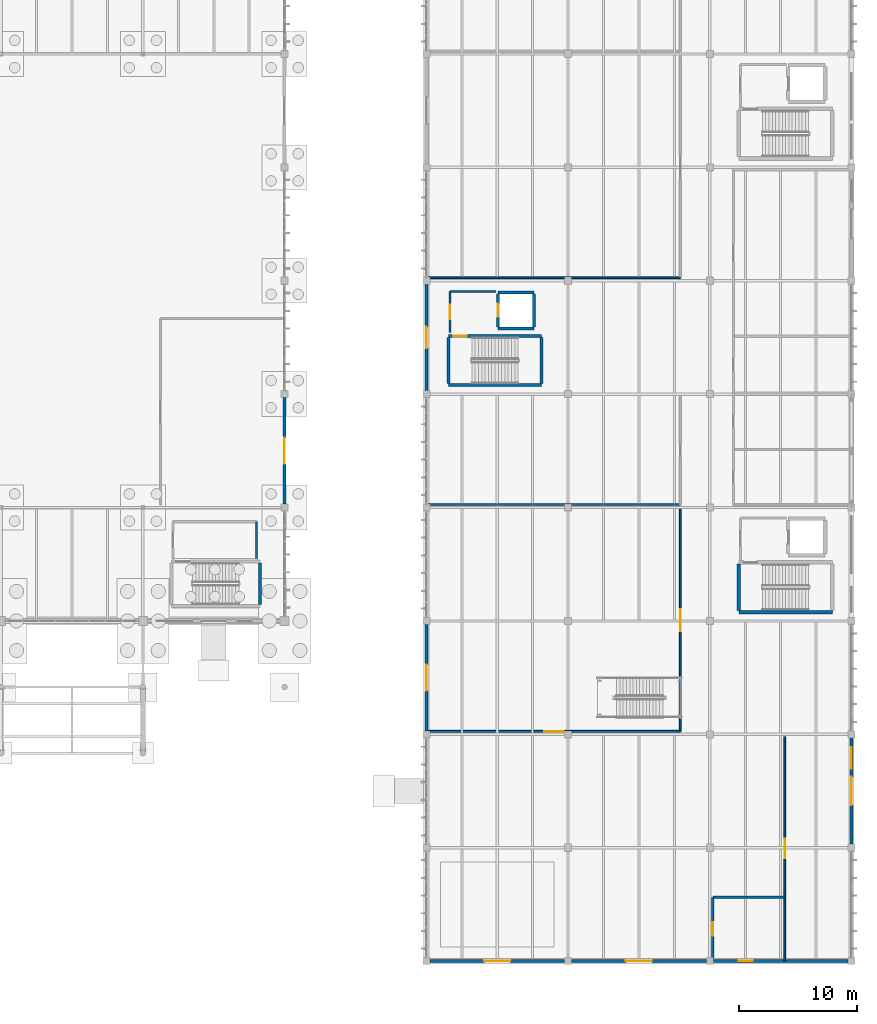
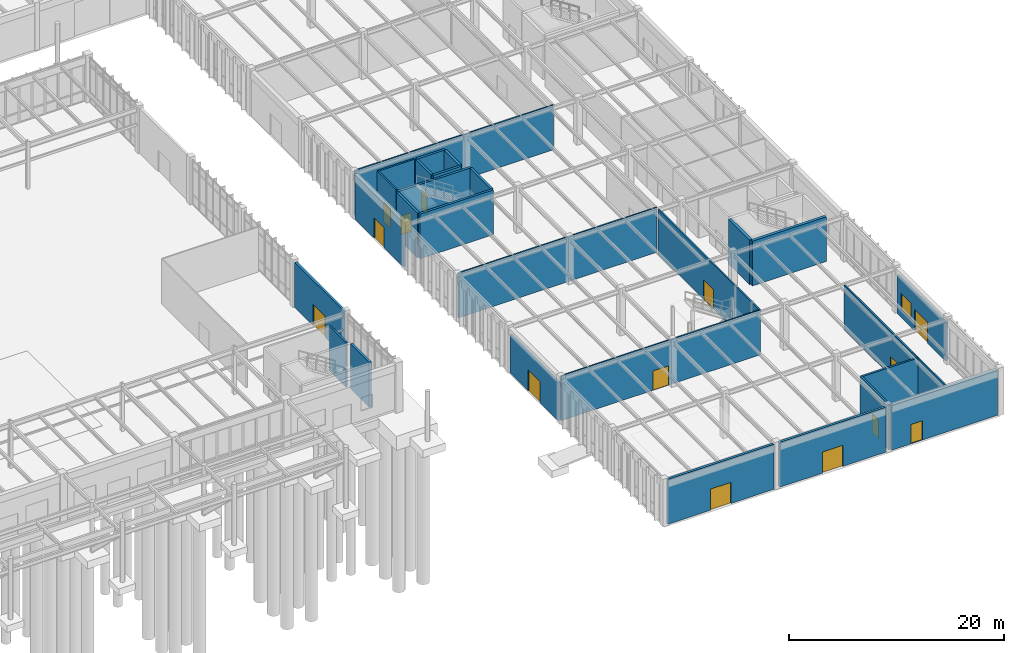
# One storey, part 167 of 188: 28 walls, 14 doors, 1 window, 15 openings.
"""IFC4 building model written with IfcOpenShell, lengths in metres."""

from ifc_helpers import new_model, si_unit, direction, frame, frame_2d, origin, place, context, subcontext, project, spatial, rectangle, extrude, material, layer, layer_set, type_object, element, fill, save


model = new_model("IFC4")

# Units and contexts
model_context = context("Model", 3, precision=1e-05, world=origin(), true_north=direction((0.0, 1.0)))
body_context = subcontext(model_context, "Body", "Model", "MODEL_VIEW")
ifc_project = project(units=[si_unit("LENGTHUNIT", "METRE"), si_unit("AREAUNIT", "SQUARE_METRE"), si_unit("VOLUMEUNIT", "CUBIC_METRE"), si_unit("PLANEANGLEUNIT", "RADIAN"), si_unit("MASSUNIT", "GRAM", prefix="KILO")], contexts=[model_context])

# Site, building, storey
site_placement = place(None, origin())
site = spatial("IfcSite", under=ifc_project, at=site_placement, CompositionType="ELEMENT")
building_placement = place(site_placement, origin())
building = spatial("IfcBuilding", under=site, at=building_placement, Name="Pandanus Reach Market Hall", CompositionType="ELEMENT")
storey_placement = place(building_placement, origin())
storey = spatial("IfcBuildingStorey", under=building, at=storey_placement, Name="L00", CompositionType="ELEMENT", Elevation=0.0)

# Wall
ifc_material_1 = material(Name="Concrete N40 (40 MPa)", Category="concrete")
ifc_layer_1 = layer(ifc_material_1, 0.25, Name="WL-CORE-250")
ifc_layer_set_1 = layer_set([ifc_layer_1], Name="Concrete N40 (40 MPa)")
wall_type_1 = type_object("IfcWallType", Name="WL-CORE-250", PredefinedType="SHEAR", material=ifc_layer_set_1)
wall_1_placement = place(storey_placement, frame((145.875, 48.77490234375, 0.0), z_axis=(0.0, 0.0, 1.0), x_axis=(1.0, 0.0, 0.0)))
element("IfcWall", 1, at=wall_1_placement, inside=storey, type_object=wall_type_1, Name="Internal wall WL-CORE-250 WL-0280", PredefinedType="SHEAR", context=body_context, shape_type="SweptSolid", body=[
    extrude(rectangle(XDim=7.8701171875, YDim=0.25, at=frame_2d((3.93505859375, 0.0))), origin(), (0.0, 0.0, 1.0), 5.080078125),
])

# Wall, opening, door
wall_2_placement = place(storey_placement, frame((145.875, 52.925048828125, 0.0), z_axis=(0.0, 0.0, 1.0), x_axis=(1.0, 0.0, 0.0)))
wall_2 = element("IfcWall", 2, at=wall_2_placement, inside=storey, type_object=wall_type_1, Name="Internal wall WL-CORE-250 WL-0281", PredefinedType="SHEAR", context=body_context, shape_type="SweptSolid", body=[
    extrude(rectangle(XDim=7.8701171875, YDim=0.25, at=frame_2d((3.93505859375, 0.0))), origin(), (0.0, 0.0, 1.0), 5.080078125),
])
opening_1_placement = place(wall_2_placement, frame((0.39990234375, 0.0, 0.0)))
opening_1 = element("IfcOpeningElement", 3, at=opening_1_placement, cuts=wall_2, Name="Opening DR-FD1", PredefinedType="OPENING", context=body_context, shape_type="SweptSolid", body=[
    extrude(rectangle(XDim=1.14990234375, YDim=2.14990234375, at=frame_2d((0.574951171875, 1.074951171875))), frame((0.0, 0.139892578125, 0.0), z_axis=(0.0, -1.0, 0.0), x_axis=(1.0, 0.0, 0.0)), (0.0, 0.0, 1.0), 0.280029296875),
])
ifc_material_2 = material(Name="Fire-rated steel door", Category="steel")
door_type_1 = type_object("IfcDoorType", Name="DR-FD1", OperationType="NOTDEFINED", PredefinedType="DOOR", material=ifc_material_2)
door_1_placement = place(opening_1_placement, origin())
door_1 = element("IfcDoor", 4, at=door_1_placement, inside=storey, type_object=door_type_1, Name="Fire stair door ST-03 L00", OperationType="SINGLE_SWING_LEFT", OverallHeight=2.14990234375, OverallWidth=1.14990234375, PredefinedType="DOOR", context=body_context, shape_type="SweptSolid", body=[
    extrude(rectangle(XDim=1.14990234375, YDim=2.14990234375, at=frame_2d((0.574951171875, 1.074951171875))), frame((0.0, 0.02490234375, 0.0), z_axis=(0.0, -1.0, 0.0), x_axis=(1.0, 0.0, 0.0)), (0.0, 0.0, 1.0), 0.050048828125),
])
fill(opening_1, door_1)

# Walls
for number, where, z_axis, x_axis, name in (
    (5, (145.875, 48.89990234375, 0.0), (0.0, 0.0, 1.0), (0.0, 1.0, 0.0), "Internal wall WL-CORE-250 WL-0282"),
    (6, (153.7451171875, 48.89990234375, 0.0), (0.0, 0.0, 1.0), (0.0, 1.0, 0.0), "Internal wall WL-CORE-250 WL-0283"),
):
    element("IfcWall", number, at=place(storey_placement, frame(where, z_axis=z_axis, x_axis=x_axis)), inside=storey, type_object=wall_type_1, Name=name, PredefinedType="SHEAR", context=body_context, shape_type="SweptSolid", body=[
        extrude(rectangle(XDim=3.900146484375, YDim=0.25, at=frame_2d((1.9501953125, 0.0))), origin(), (0.0, 0.0, 1.0), 5.080078125),
    ])
for number, where, z_axis, x_axis, name in (
    (7, (150.074951171875, 53.574951171875, 0.0), (0.0, 0.0, 1.0), (1.0, 0.0, 0.0), "Internal wall WL-CORE-250 WL-0284"),
    (8, (150.074951171875, 56.625, 0.0), (0.0, 0.0, 1.0), (1.0, 0.0, 0.0), "Internal wall WL-CORE-250 WL-0285"),
):
    element("IfcWall", number, at=place(storey_placement, frame(where, z_axis=z_axis, x_axis=x_axis)), inside=storey, type_object=wall_type_1, Name=name, PredefinedType="SHEAR", context=body_context, shape_type="SweptSolid", body=[
        extrude(rectangle(XDim=3.050048828125, YDim=0.25, at=frame_2d((1.52490234375, 0.0))), origin(), (0.0, 0.0, 1.0), 5.080078125),
    ])
wall_3_placement = place(storey_placement, frame((153.125, 53.699951171875, 0.0), z_axis=(0.0, 0.0, 1.0), x_axis=(0.0, 1.0, 0.0)))
element("IfcWall", 9, at=wall_3_placement, inside=storey, type_object=wall_type_1, Name="Internal wall WL-CORE-250 WL-0286", PredefinedType="SHEAR", context=body_context, shape_type="SweptSolid", body=[
    extrude(rectangle(XDim=2.800048828125, YDim=0.25, at=frame_2d((1.39990234375, 0.0))), origin(), (0.0, 0.0, 1.0), 5.080078125),
])

# Wall, opening, door
wall_4_placement = place(storey_placement, frame((150.074951171875, 53.699951171875, 0.0), z_axis=(0.0, 0.0, 1.0), x_axis=(0.0, 1.0, 0.0)))
wall_4 = element("IfcWall", 10, at=wall_4_placement, inside=storey, type_object=wall_type_1, Name="Internal wall WL-CORE-250 WL-0287", PredefinedType="SHEAR", context=body_context, shape_type="SweptSolid", body=[
    extrude(rectangle(XDim=2.800048828125, YDim=0.25, at=frame_2d((1.39990234375, 0.0))), origin(), (0.0, 0.0, 1.0), 5.080078125),
])
opening_2_placement = place(wall_4_placement, frame((0.85009765625, 0.0, 0.0)))
opening_2 = element("IfcOpeningElement", 11, at=opening_2_placement, cuts=wall_4, Name="Opening LD-01", PredefinedType="OPENING", context=body_context, shape_type="SweptSolid", body=[
    extrude(rectangle(XDim=1.10009765625, YDim=2.14990234375, at=frame_2d((0.550048828125, 1.074951171875))), frame((0.0, 0.139892578125, 0.0), z_axis=(0.0, -1.0, 0.0), x_axis=(1.0, 0.0, 0.0)), (0.0, 0.0, 1.0), 0.280029296875),
])
ifc_material_3 = material(Name="Stainless steel lift landing door", Category="steel")
door_type_2 = type_object("IfcDoorType", Name="LD-01", OperationType="SLIDING_TO_LEFT", PredefinedType="DOOR", material=ifc_material_3)
door_2_placement = place(opening_2_placement, origin())
door_2 = element("IfcDoor", 12, at=door_2_placement, inside=storey, type_object=door_type_2, Name="Lift landing door LF-03 LD-01 42", OperationType="SLIDING_TO_LEFT", OverallHeight=2.14990234375, OverallWidth=1.10009765625, PredefinedType="DOOR", context=body_context, shape_type="SweptSolid", body=[
    extrude(rectangle(XDim=1.10009765625, YDim=2.14990234375, at=frame_2d((0.550048828125, 1.074951171875))), frame((0.0, 0.02490234375, 0.0), z_axis=(0.0, -1.0, 0.0), x_axis=(1.0, 0.0, 0.0)), (0.0, 0.0, 1.0), 0.050048828125),
])
fill(opening_2, door_2)

# Walls
wall_5_placement = place(storey_placement, frame((129.89501953125, 30.199951171875, 0.0), z_axis=(0.0, 0.0, 1.0), x_axis=(0.0, 1.0, 0.0)))
element("IfcWall", 13, at=wall_5_placement, inside=storey, type_object=wall_type_1, Name="Internal wall WL-CORE-250 WL-0437", PredefinedType="SHEAR", context=body_context, shape_type="SweptSolid", body=[
    extrude(rectangle(XDim=3.5, YDim=0.25, at=frame_2d((1.75, 0.0))), origin(), (0.0, 0.0, 1.0), 5.080078125),
])
ifc_layer_2 = layer(ifc_material_1, 0.300048828125, Name="WL-CORE-300")
ifc_layer_set_2 = layer_set([ifc_layer_2], Name="Concrete N40 (40 MPa)")
wall_type_2 = type_object("IfcWallType", Name="WL-CORE-300", PredefinedType="SHEAR", material=ifc_layer_set_2)
wall_6_placement = place(storey_placement, frame((170.449951171875, 29.550048828125, 0.0), z_axis=(0.0, 0.0, 1.0), x_axis=(1.0, 0.0, 0.0)))
element("IfcWall", 14, at=wall_6_placement, inside=storey, type_object=wall_type_2, Name="Internal wall WL-CORE-300 WL-0160", PredefinedType="SHEAR", context=body_context, shape_type="SweptSolid", body=[
    extrude(rectangle(XDim=7.920166015625, YDim=0.300048828125, at=frame_2d((3.9599609375, 0.0))), origin(), (0.0, 0.0, 1.0), 5.080078125),
])
wall_7_placement = place(storey_placement, frame((170.449951171875, 29.699951171875, 0.0), z_axis=(0.0, 0.0, 1.0), x_axis=(0.0, 1.0, 0.0)))
element("IfcWall", 15, at=wall_7_placement, inside=storey, type_object=wall_type_2, Name="Internal wall WL-CORE-300 WL-0162", PredefinedType="SHEAR", context=body_context, shape_type="SweptSolid", body=[
    extrude(rectangle(XDim=3.900146484375, YDim=0.300048828125, at=frame_2d((1.9501953125, 0.0))), origin(), (0.0, 0.0, 1.0), 5.080078125),
])

# Wall, openings, door, window
ifc_material_4 = material(Name="Precast concrete S50 (50 MPa)", Category="concrete")
ifc_layer_3 = layer(ifc_material_4, 0.239990234375, Name="WL-EXT-240")
ifc_layer_set_3 = layer_set([ifc_layer_3], Name="Precast concrete S50 (50 MPa)")
wall_type_3 = type_object("IfcWallType", Name="WL-EXT-240", PredefinedType="SOLIDWALL", material=ifc_layer_set_3)
wall_8_placement = place(storey_placement, frame((180.0, 9.89990234375, 0.0), z_axis=(0.0, 0.0, 1.0), x_axis=(0.0, 1.0, 0.0)))
wall_8 = element("IfcWall", 16, at=wall_8_placement, inside=storey, type_object=wall_type_3, Name="External wall WL-EXT-240 WL-0089", PredefinedType="SOLIDWALL", context=body_context, shape_type="SweptSolid", body=[
    extrude(rectangle(XDim=9.0, YDim=0.239990234375, at=frame_2d((4.5, 0.0))), origin(), (0.0, 0.0, 1.0), 4.321044921875),
])
opening_3_placement = place(wall_8_placement, frame((3.300048828125, 0.0, 0.0)))
opening_3 = element("IfcOpeningElement", 17, at=opening_3_placement, cuts=wall_8, Name="Opening ED-240", PredefinedType="OPENING", context=body_context, shape_type="SweptSolid", body=[
    extrude(rectangle(XDim=2.39990234375, YDim=2.39990234375, at=frame_2d((1.199951171875, 1.199951171875))), frame((0.0, 0.135009765625, 0.0), z_axis=(0.0, -1.0, 0.0), x_axis=(1.0, 0.0, 0.0)), (0.0, 0.0, 1.0), 0.27001953125),
])
opening_4_placement = place(wall_8_placement, frame((6.39990234375, 0.0, 0.89990234375)))
opening_4 = element("IfcOpeningElement", 18, at=opening_4_placement, cuts=wall_8, Name="Opening WN-03", PredefinedType="OPENING", context=body_context, shape_type="SweptSolid", body=[
    extrude(rectangle(XDim=1.800048828125, YDim=1.800048828125, at=frame_2d((0.89990234375, 0.89990234375))), frame((0.0, 0.135009765625, 0.0), z_axis=(0.0, -1.0, 0.0), x_axis=(1.0, 0.0, 0.0)), (0.0, 0.0, 1.0), 0.27001953125),
])
ifc_material_5 = material(Name="Bronze anodised aluminium", Category="aluminium")
door_type_3 = type_object("IfcDoorType", Name="ED-240", OperationType="DOUBLE_DOOR_SINGLE_SWING", PredefinedType="DOOR", material=ifc_material_5)
door_3_placement = place(opening_3_placement, frame((2.39990234375, 0.0, 0.0), z_axis=(0.0, 0.0, 1.0), x_axis=(-1.0, 0.0, 0.0)))
door_3 = element("IfcDoor", 19, at=door_3_placement, inside=storey, type_object=door_type_3, Name="Boulevard shopfront entrance ED-240 28", OperationType="DOUBLE_DOOR_SINGLE_SWING", OverallHeight=2.39990234375, OverallWidth=2.39990234375, PredefinedType="DOOR", context=body_context, shape_type="SweptSolid", body=[
    extrude(rectangle(XDim=2.39990234375, YDim=2.39990234375, at=frame_2d((1.199951171875, 1.199951171875))), frame((0.0, 0.02490234375, 0.0), z_axis=(0.0, -1.0, 0.0), x_axis=(1.0, 0.0, 0.0)), (0.0, 0.0, 1.0), 0.050048828125),
])
fill(opening_3, door_3)
ifc_material_6 = material(Name="Solar-control double glazing", Category="glass")
window_type = type_object("IfcWindowType", Name="WN-03", PartitioningType="SINGLE_PANEL", PredefinedType="WINDOW", material=ifc_material_6)
window_placement = place(opening_4_placement, origin())
window = element("IfcWindow", 20, at=window_placement, inside=storey, type_object=window_type, Name="Window WN-03 44", OverallHeight=1.800048828125, OverallWidth=1.800048828125, PartitioningType="SINGLE_PANEL", PredefinedType="WINDOW", context=body_context, shape_type="SweptSolid", body=[
    extrude(rectangle(XDim=1.800048828125, YDim=1.800048828125, at=frame_2d((0.89990234375, 0.89990234375))), frame((0.0, 0.030029296875, 0.0), z_axis=(0.0, -1.0, 0.0), x_axis=(1.0, 0.0, 0.0)), (0.0, 0.0, 1.0), 0.06005859375),
])
fill(opening_4, window)

# Wall, opening, door
wall_9_placement = place(storey_placement, frame((144.0, 19.5, 0.0), z_axis=(0.0, 0.0, 1.0), x_axis=(0.0, 1.0, 0.0)))
wall_9 = element("IfcWall", 21, at=wall_9_placement, inside=storey, type_object=wall_type_3, Name="External wall WL-EXT-240 WL-0094", PredefinedType="SOLIDWALL", context=body_context, shape_type="SweptSolid", body=[
    extrude(rectangle(XDim=9.0, YDim=0.239990234375, at=frame_2d((4.5, 0.0))), origin(), (0.0, 0.0, 1.0), 4.321044921875),
])
opening_5_placement = place(wall_9_placement, frame((3.39990234375, 0.0, 0.0)))
opening_5 = element("IfcOpeningElement", 22, at=opening_5_placement, cuts=wall_9, Name="Opening ED-220", PredefinedType="OPENING", context=body_context, shape_type="SweptSolid", body=[
    extrude(rectangle(XDim=2.199951171875, YDim=2.39990234375, at=frame_2d((1.10009765625, 1.199951171875))), frame((0.0, 0.135009765625, 0.0), z_axis=(0.0, -1.0, 0.0), x_axis=(1.0, 0.0, 0.0)), (0.0, 0.0, 1.0), 0.27001953125),
])
door_type_4 = type_object("IfcDoorType", Name="ED-220", OperationType="DOUBLE_DOOR_SINGLE_SWING", PredefinedType="DOOR", material=ifc_material_5)
door_4_placement = place(opening_5_placement, origin())
door_4 = element("IfcDoor", 23, at=door_4_placement, inside=storey, type_object=door_type_4, Name="East market arcade entrance ED-220 32", OperationType="DOUBLE_DOOR_SINGLE_SWING", OverallHeight=2.39990234375, OverallWidth=2.199951171875, PredefinedType="DOOR", context=body_context, shape_type="SweptSolid", body=[
    extrude(rectangle(XDim=2.199951171875, YDim=2.39990234375, at=frame_2d((1.10009765625, 1.199951171875))), frame((0.0, 0.02490234375, 0.0), z_axis=(0.0, -1.0, 0.0), x_axis=(1.0, 0.0, 0.0)), (0.0, 0.0, 1.0), 0.050048828125),
])
fill(opening_5, door_4)

ifc_layer_4 = layer(ifc_material_4, 0.260009765625, Name="WL-EXT-260")
ifc_layer_set_4 = layer_set([ifc_layer_4], Name="Precast concrete S50 (50 MPa)")
wall_type_4 = type_object("IfcWallType", Name="WL-EXT-260", PredefinedType="SOLIDWALL", material=ifc_layer_set_4)
wall_10_placement = place(storey_placement, frame((132.0, 38.699951171875, 0.0), z_axis=(0.0, 0.0, 1.0), x_axis=(0.0, 1.0, 0.0)))
wall_10 = element("IfcWall", 24, at=wall_10_placement, inside=storey, type_object=wall_type_4, Name="External wall WL-EXT-260 WL-0057", PredefinedType="SOLIDWALL", context=body_context, shape_type="SweptSolid", body=[
    extrude(rectangle(XDim=9.0, YDim=0.260009765625, at=frame_2d((4.5, 0.0))), origin(), (0.0, 0.0, 1.0), 5.10009765625),
])
opening_6_placement = place(wall_10_placement, frame((3.39990234375, 0.0, 0.0)))
opening_6 = element("IfcOpeningElement", 25, at=opening_6_placement, cuts=wall_10, Name="Opening ED-220", PredefinedType="OPENING", context=body_context, shape_type="SweptSolid", body=[
    extrude(rectangle(XDim=2.199951171875, YDim=2.39990234375, at=frame_2d((1.10009765625, 1.199951171875))), frame((0.0, 0.14501953125, 0.0), z_axis=(0.0, -1.0, 0.0), x_axis=(1.0, 0.0, 0.0)), (0.0, 0.0, 1.0), 0.2900390625),
])
door_5_placement = place(opening_6_placement, frame((2.199951171875, 0.0, 0.0), z_axis=(0.0, 0.0, 1.0), x_axis=(-1.0, 0.0, 0.0)))
door_5 = element("IfcDoor", 26, at=door_5_placement, inside=storey, type_object=door_type_4, Name="Market gable entrance ED-220 10", OperationType="DOUBLE_DOOR_SINGLE_SWING", OverallHeight=2.39990234375, OverallWidth=2.199951171875, PredefinedType="DOOR", context=body_context, shape_type="SweptSolid", body=[
    extrude(rectangle(XDim=2.199951171875, YDim=2.39990234375, at=frame_2d((1.10009765625, 1.199951171875))), frame((0.0, 0.02490234375, 0.0), z_axis=(0.0, -1.0, 0.0), x_axis=(1.0, 0.0, 0.0)), (0.0, 0.0, 1.0), 0.050048828125),
])
fill(opening_6, door_5)

wall_11_placement = place(storey_placement, frame((144.300048828125, 0.0, 0.0), z_axis=(0.0, 0.0, 1.0), x_axis=(1.0, 0.0, 0.0)))
wall_11 = element("IfcWall", 27, at=wall_11_placement, inside=storey, type_object=wall_type_4, Name="External wall WL-EXT-260 WL-0086", PredefinedType="SOLIDWALL", context=body_context, shape_type="SweptSolid", body=[
    extrude(rectangle(XDim=11.39990234375, YDim=0.260009765625, at=frame_2d((5.699951171875, 0.0))), origin(), (0.0, 0.0, 1.0), 5.10009765625),
])
opening_7_placement = place(wall_11_placement, frame((4.60009765625, 0.0, 0.0)))
opening_7 = element("IfcOpeningElement", 28, at=opening_7_placement, cuts=wall_11, Name="Opening ED-220", PredefinedType="OPENING", context=body_context, shape_type="SweptSolid", body=[
    extrude(rectangle(XDim=2.199951171875, YDim=2.39990234375, at=frame_2d((1.10009765625, 1.199951171875))), frame((0.0, 0.14501953125, 0.0), z_axis=(0.0, -1.0, 0.0), x_axis=(1.0, 0.0, 0.0)), (0.0, 0.0, 1.0), 0.2900390625),
])
door_6_placement = place(opening_7_placement, frame((2.199951171875, 0.0, 0.0), z_axis=(0.0, 0.0, 1.0), x_axis=(-1.0, 0.0, 0.0)))
door_6 = element("IfcDoor", 29, at=door_6_placement, inside=storey, type_object=door_type_4, Name="Boulevard south entrance ED-220 25", OperationType="DOUBLE_DOOR_SINGLE_SWING", OverallHeight=2.39990234375, OverallWidth=2.199951171875, PredefinedType="DOOR", context=body_context, shape_type="SweptSolid", body=[
    extrude(rectangle(XDim=2.199951171875, YDim=2.39990234375, at=frame_2d((1.10009765625, 1.199951171875))), frame((0.0, 0.02490234375, 0.0), z_axis=(0.0, -1.0, 0.0), x_axis=(1.0, 0.0, 0.0)), (0.0, 0.0, 1.0), 0.050048828125),
])
fill(opening_7, door_6)

wall_12_placement = place(storey_placement, frame((156.300048828125, 0.0, 0.0), z_axis=(0.0, 0.0, 1.0), x_axis=(1.0, 0.0, 0.0)))
wall_12 = element("IfcWall", 30, at=wall_12_placement, inside=storey, type_object=wall_type_4, Name="External wall WL-EXT-260 WL-0087", PredefinedType="SOLIDWALL", context=body_context, shape_type="SweptSolid", body=[
    extrude(rectangle(XDim=11.39990234375, YDim=0.260009765625, at=frame_2d((5.699951171875, 0.0))), origin(), (0.0, 0.0, 1.0), 5.10009765625),
])
opening_8_placement = place(wall_12_placement, frame((4.60009765625, 0.0, 0.0)))
opening_8 = element("IfcOpeningElement", 31, at=opening_8_placement, cuts=wall_12, Name="Opening ED-220", PredefinedType="OPENING", context=body_context, shape_type="SweptSolid", body=[
    extrude(rectangle(XDim=2.199951171875, YDim=2.39990234375, at=frame_2d((1.10009765625, 1.199951171875))), frame((0.0, 0.14501953125, 0.0), z_axis=(0.0, -1.0, 0.0), x_axis=(1.0, 0.0, 0.0)), (0.0, 0.0, 1.0), 0.2900390625),
])
door_7_placement = place(opening_8_placement, frame((2.199951171875, 0.0, 0.0), z_axis=(0.0, 0.0, 1.0), x_axis=(-1.0, 0.0, 0.0)))
door_7 = element("IfcDoor", 32, at=door_7_placement, inside=storey, type_object=door_type_4, Name="Boulevard south entrance ED-220 26", OperationType="DOUBLE_DOOR_SINGLE_SWING", OverallHeight=2.39990234375, OverallWidth=2.199951171875, PredefinedType="DOOR", context=body_context, shape_type="SweptSolid", body=[
    extrude(rectangle(XDim=2.199951171875, YDim=2.39990234375, at=frame_2d((1.10009765625, 1.199951171875))), frame((0.0, 0.02490234375, 0.0), z_axis=(0.0, -1.0, 0.0), x_axis=(1.0, 0.0, 0.0)), (0.0, 0.0, 1.0), 0.050048828125),
])
fill(opening_8, door_7)

wall_13_placement = place(storey_placement, frame((168.300048828125, 0.0, 0.0), z_axis=(0.0, 0.0, 1.0), x_axis=(1.0, 0.0, 0.0)))
wall_13 = element("IfcWall", 33, at=wall_13_placement, inside=storey, type_object=wall_type_4, Name="External wall WL-EXT-260 WL-0088", PredefinedType="SOLIDWALL", context=body_context, shape_type="SweptSolid", body=[
    extrude(rectangle(XDim=11.39990234375, YDim=0.260009765625, at=frame_2d((5.699951171875, 0.0))), origin(), (0.0, 0.0, 1.0), 5.10009765625),
])
opening_9_placement = place(wall_13_placement, frame((2.135986328125, 0.0, 0.0)))
opening_9 = element("IfcOpeningElement", 34, at=opening_9_placement, cuts=wall_13, Name="Opening ED-120", PredefinedType="OPENING", context=body_context, shape_type="SweptSolid", body=[
    extrude(rectangle(XDim=1.199951171875, YDim=2.199951171875, at=frame_2d((0.60009765625, 1.10009765625))), frame((0.0, 0.14501953125, 0.0), z_axis=(0.0, -1.0, 0.0), x_axis=(1.0, 0.0, 0.0)), (0.0, 0.0, 1.0), 0.2900390625),
])
ifc_material_7 = material(Name="Galvanised steel Grade 350 (350 MPa)", Category="steel")
door_type_5 = type_object("IfcDoorType", Name="ED-120", OperationType="NOTDEFINED", PredefinedType="DOOR", material=ifc_material_7)
door_8_placement = place(opening_9_placement, frame((1.199951171875, 0.0, 0.0), z_axis=(0.0, 0.0, 1.0), x_axis=(-1.0, 0.0, 0.0)))
door_8 = element("IfcDoor", 35, at=door_8_placement, inside=storey, type_object=door_type_5, Name="Fire Control Room exterior door ED-120 27", OperationType="SINGLE_SWING_RIGHT", OverallHeight=2.199951171875, OverallWidth=1.199951171875, PredefinedType="DOOR", context=body_context, shape_type="SweptSolid", body=[
    extrude(rectangle(XDim=1.199951171875, YDim=2.199951171875, at=frame_2d((0.60009765625, 1.10009765625))), frame((0.0, 0.02490234375, 0.0), z_axis=(0.0, -1.0, 0.0), x_axis=(1.0, 0.0, 0.0)), (0.0, 0.0, 1.0), 0.050048828125),
])
fill(opening_9, door_8)

wall_14_placement = place(storey_placement, frame((144.0, 48.300048828125, 0.0), z_axis=(0.0, 0.0, 1.0), x_axis=(0.0, 1.0, 0.0)))
wall_14 = element("IfcWall", 36, at=wall_14_placement, inside=storey, type_object=wall_type_4, Name="External wall WL-EXT-260 WL-0095", PredefinedType="SOLIDWALL", context=body_context, shape_type="SweptSolid", body=[
    extrude(rectangle(XDim=9.0, YDim=0.260009765625, at=frame_2d((4.5, 0.0))), origin(), (0.0, 0.0, 1.0), 5.10009765625),
])
opening_10_placement = place(wall_14_placement, frame((3.60009765625, 0.0, 0.0)))
opening_10 = element("IfcOpeningElement", 37, at=opening_10_placement, cuts=wall_14, Name="Opening ED-180", PredefinedType="OPENING", context=body_context, shape_type="SweptSolid", body=[
    extrude(rectangle(XDim=1.800048828125, YDim=2.300048828125, at=frame_2d((0.89990234375, 1.14990234375))), frame((0.0, 0.14501953125, 0.0), z_axis=(0.0, -1.0, 0.0), x_axis=(1.0, 0.0, 0.0)), (0.0, 0.0, 1.0), 0.2900390625),
])
door_type_6 = type_object("IfcDoorType", Name="ED-180", OperationType="DOUBLE_DOOR_SINGLE_SWING", PredefinedType="DOOR", material=ifc_material_5)
door_9_placement = place(opening_10_placement, origin())
door_9 = element("IfcDoor", 38, at=door_9_placement, inside=storey, type_object=door_type_6, Name="Stair ST-03 passage exit ED-180 33", OperationType="DOUBLE_DOOR_SINGLE_SWING", OverallHeight=2.300048828125, OverallWidth=1.800048828125, PredefinedType="DOOR", context=body_context, shape_type="SweptSolid", body=[
    extrude(rectangle(XDim=1.800048828125, YDim=2.300048828125, at=frame_2d((0.89990234375, 1.14990234375))), frame((0.0, 0.02490234375, 0.0), z_axis=(0.0, -1.0, 0.0), x_axis=(1.0, 0.0, 0.0)), (0.0, 0.0, 1.0), 0.050048828125),
])
fill(opening_10, door_9)

ifc_layer_5 = layer(ifc_material_1, 0.199951171875, Name="WL-FIRE-200")
ifc_layer_set_5 = layer_set([ifc_layer_5], Name="Concrete N40 (40 MPa)")
wall_type_5 = type_object("IfcWallType", Name="WL-FIRE-200", PredefinedType="SOLIDWALL", material=ifc_layer_set_5)
wall_15_placement = place(storey_placement, frame((168.25, 0.0400390625, 0.0), z_axis=(0.0, 0.0, 1.0), x_axis=(0.0, 1.0, 0.0)))
wall_15 = element("IfcWall", 39, at=wall_15_placement, inside=storey, type_object=wall_type_5, Name="Internal wall WL-FIRE-200 WL-0487", PredefinedType="SOLIDWALL", context=body_context, shape_type="SweptSolid", body=[
    extrude(rectangle(XDim=5.35986328125, YDim=0.199951171875, at=frame_2d((2.679931640625, 0.0))), origin(), (0.0, 0.0, 1.0), 5.080078125),
])
opening_11_placement = place(wall_15_placement, frame((2.10498046875, 0.0, 0.0)))
opening_11 = element("IfcOpeningElement", 40, at=opening_11_placement, cuts=wall_15, Name="Opening DR-FD1", PredefinedType="OPENING", context=body_context, shape_type="SweptSolid", body=[
    extrude(rectangle(XDim=1.14990234375, YDim=2.14990234375, at=frame_2d((0.574951171875, 1.074951171875))), frame((0.0, 0.114990234375, 0.0), z_axis=(0.0, -1.0, 0.0), x_axis=(1.0, 0.0, 0.0)), (0.0, 0.0, 1.0), 0.22998046875),
])
door_10_placement = place(opening_11_placement, origin())
door_10 = element("IfcDoor", 41, at=door_10_placement, inside=storey, type_object=door_type_1, Name="Fire Control Room internal door DR-FD1 116", OperationType="SINGLE_SWING_LEFT", OverallHeight=2.14990234375, OverallWidth=1.14990234375, PredefinedType="DOOR", context=body_context, shape_type="SweptSolid", body=[
    extrude(rectangle(XDim=1.14990234375, YDim=2.14990234375, at=frame_2d((0.574951171875, 1.074951171875))), frame((0.0, 0.02490234375, 0.0), z_axis=(0.0, -1.0, 0.0), x_axis=(1.0, 0.0, 0.0)), (0.0, 0.0, 1.0), 0.050048828125),
])
fill(opening_11, door_10)

# Wall
wall_16_placement = place(storey_placement, frame((168.25, 5.39990234375, 0.0), z_axis=(0.0, 0.0, 1.0), x_axis=(1.0, 0.0, 0.0)))
element("IfcWall", 42, at=wall_16_placement, inside=storey, type_object=wall_type_5, Name="Internal wall WL-FIRE-200 WL-0488", PredefinedType="SOLIDWALL", context=body_context, shape_type="SweptSolid", body=[
    extrude(rectangle(XDim=6.10009765625, YDim=0.199951171875, at=frame_2d((3.050048828125, 0.0))), origin(), (0.0, 0.0, 1.0), 5.080078125),
])

# Wall, opening, door
ifc_layer_6 = layer(ifc_material_1, 0.175048828125, Name="WL-LOB-175")
ifc_layer_set_6 = layer_set([ifc_layer_6], Name="Concrete N40 (40 MPa)")
wall_type_6 = type_object("IfcWallType", Name="WL-LOB-175", PredefinedType="PARTITIONING", material=ifc_layer_set_6)
wall_17_placement = place(storey_placement, frame((146.0, 53.199951171875, 0.0), z_axis=(0.0, 0.0, 1.0), x_axis=(0.0, 1.0, 0.0)))
wall_17 = element("IfcWall", 43, at=wall_17_placement, inside=storey, type_object=wall_type_6, Name="Internal wall WL-LOB-175 WL-0288", PredefinedType="PARTITIONING", context=body_context, shape_type="SweptSolid", body=[
    extrude(rectangle(XDim=3.5, YDim=0.175048828125, at=frame_2d((1.75, 0.0))), origin(), (0.0, 0.0, 1.0), 5.080078125),
])
opening_12_placement = place(wall_17_placement, frame((1.125, 0.0, 0.0)))
opening_12 = element("IfcOpeningElement", 44, at=opening_12_placement, cuts=wall_17, Name="Opening DR-FD2", PredefinedType="OPENING", context=body_context, shape_type="SweptSolid", body=[
    extrude(rectangle(XDim=1.25, YDim=2.199951171875, at=frame_2d((0.625, 1.10009765625))), frame((0.0, 0.1025390625, 0.0), z_axis=(0.0, -1.0, 0.0), x_axis=(1.0, 0.0, 0.0)), (0.0, 0.0, 1.0), 0.205078125),
])
door_type_7 = type_object("IfcDoorType", Name="DR-FD2", OperationType="NOTDEFINED", PredefinedType="DOOR", material=ifc_material_2)
door_11_placement = place(opening_12_placement, frame((1.25, 0.0, 0.0), z_axis=(0.0, 0.0, 1.0), x_axis=(-1.0, 0.0, 0.0)))
door_11 = element("IfcDoor", 45, at=door_11_placement, inside=storey, type_object=door_type_7, Name="Core C3 lobby fire door DR-FD2 43", OperationType="SINGLE_SWING_RIGHT", OverallHeight=2.199951171875, OverallWidth=1.25, PredefinedType="DOOR", context=body_context, shape_type="SweptSolid", body=[
    extrude(rectangle(XDim=1.25, YDim=2.199951171875, at=frame_2d((0.625, 1.10009765625))), frame((0.0, 0.02490234375, 0.0), z_axis=(0.0, -1.0, 0.0), x_axis=(1.0, 0.0, 0.0)), (0.0, 0.0, 1.0), 0.050048828125),
])
fill(opening_12, door_11)

# Walls
wall_18_placement = place(storey_placement, frame((146.0, 56.699951171875, 0.0), z_axis=(0.0, 0.0, 1.0), x_axis=(1.0, 0.0, 0.0)))
element("IfcWall", 46, at=wall_18_placement, inside=storey, type_object=wall_type_6, Name="Internal wall WL-LOB-175 WL-0289", PredefinedType="PARTITIONING", context=body_context, shape_type="SweptSolid", body=[
    extrude(rectangle(XDim=3.89990234375, YDim=0.175048828125, at=frame_2d((1.949951171875, 0.0))), origin(), (0.0, 0.0, 1.0), 5.080078125),
])
wall_19_placement = place(storey_placement, frame((129.60009765625, 34.10009765625, 0.0), z_axis=(0.0, 0.0, 1.0), x_axis=(0.0, 1.0, 0.0)))
element("IfcWall", 47, at=wall_19_placement, inside=storey, type_object=wall_type_6, Name="Internal wall WL-LOB-175 WL-0440", PredefinedType="PARTITIONING", context=body_context, shape_type="SweptSolid", body=[
    extrude(rectangle(XDim=3.099853515625, YDim=0.175048828125, at=frame_2d((1.5498046875, 0.0))), origin(), (0.0, 0.0, 1.0), 5.080078125),
])

# Wall, opening, door
ifc_material_8 = material(Name="Acoustic plasterboard on steel framing", Category="steel")
ifc_layer_7 = layer(ifc_material_8, 0.14990234375, Name="WL-PRT-150")
ifc_layer_set_7 = layer_set([ifc_layer_7], Name="Acoustic plasterboard on steel framing")
wall_type_7 = type_object("IfcWallType", Name="WL-PRT-150", PredefinedType="PARTITIONING", material=ifc_layer_set_7)
wall_20_placement = place(storey_placement, frame((174.35009765625, 0.0400390625, 0.0), z_axis=(0.0, 0.0, 1.0), x_axis=(0.0, 1.0, 0.0)))
wall_20 = element("IfcWall", 48, at=wall_20_placement, inside=storey, type_object=wall_type_7, Name="Internal wall WL-PRT-150 WL-0489", PredefinedType="PARTITIONING", context=body_context, shape_type="SweptSolid", body=[
    extrude(rectangle(XDim=18.9599609375, YDim=0.14990234375, at=frame_2d((9.47998046875, 0.0))), origin(), (0.0, 0.0, 1.0), 5.080078125),
])
opening_13_placement = place(wall_20_placement, frame((8.655029296875, 0.0, 0.0)))
opening_13 = element("IfcOpeningElement", 49, at=opening_13_placement, cuts=wall_20, Name="Opening DR-I16", PredefinedType="OPENING", context=body_context, shape_type="SweptSolid", body=[
    extrude(rectangle(XDim=1.64990234375, YDim=2.199951171875, at=frame_2d((0.824951171875, 1.10009765625))), frame((0.0, 0.08984375, 0.0), z_axis=(0.0, -1.0, 0.0), x_axis=(1.0, 0.0, 0.0)), (0.0, 0.0, 1.0), 0.179931640625),
])
ifc_material_9 = material(Name="Double glazed culinary studio door")
door_type_8 = type_object("IfcDoorType", Name="DR-I16", OperationType="DOUBLE_DOOR_SINGLE_SWING", PredefinedType="DOOR", material=ifc_material_9)
door_12_placement = place(opening_13_placement, origin())
door_12 = element("IfcDoor", 50, at=door_12_placement, inside=storey, type_object=door_type_8, Name="Wine deli shop foyer door DR-I16 117", OperationType="DOUBLE_DOOR_SINGLE_SWING", OverallHeight=2.199951171875, OverallWidth=1.64990234375, PredefinedType="DOOR", context=body_context, shape_type="SweptSolid", body=[
    extrude(rectangle(XDim=1.64990234375, YDim=2.199951171875, at=frame_2d((0.824951171875, 1.10009765625))), frame((0.0, 0.02490234375, 0.0), z_axis=(0.0, -1.0, 0.0), x_axis=(1.0, 0.0, 0.0)), (0.0, 0.0, 1.0), 0.050048828125),
])
fill(opening_13, door_12)

wall_21_placement = place(storey_placement, frame((144.14990234375, 19.449951171875, 0.0), z_axis=(0.0, 0.0, 1.0), x_axis=(1.0, 0.0, 0.0)))
wall_21 = element("IfcWall", 51, at=wall_21_placement, inside=storey, type_object=wall_type_7, Name="Internal wall WL-PRT-150 WL-0490", PredefinedType="PARTITIONING", context=body_context, shape_type="SweptSolid", body=[
    extrude(rectangle(XDim=21.35009765625, YDim=0.14990234375, at=frame_2d((10.675048828125, 0.0))), origin(), (0.0, 0.0, 1.0), 5.080078125),
])
opening_14_placement = place(wall_21_placement, frame((9.85009765625, 0.0, 0.0)))
opening_14 = element("IfcOpeningElement", 52, at=opening_14_placement, cuts=wall_21, Name="Opening DR-I16", PredefinedType="OPENING", context=body_context, shape_type="SweptSolid", body=[
    extrude(rectangle(XDim=1.64990234375, YDim=2.199951171875, at=frame_2d((0.824951171875, 1.10009765625))), frame((0.0, 0.08984375, 0.0), z_axis=(0.0, -1.0, 0.0), x_axis=(1.0, 0.0, 0.0)), (0.0, 0.0, 1.0), 0.179931640625),
])
door_13_placement = place(opening_14_placement, origin())
door_13 = element("IfcDoor", 53, at=door_13_placement, inside=storey, type_object=door_type_8, Name="Foyer to cookware shop door DR-I16 118", OperationType="DOUBLE_DOOR_SINGLE_SWING", OverallHeight=2.199951171875, OverallWidth=1.64990234375, PredefinedType="DOOR", context=body_context, shape_type="SweptSolid", body=[
    extrude(rectangle(XDim=1.64990234375, YDim=2.199951171875, at=frame_2d((0.824951171875, 1.10009765625))), frame((0.0, 0.02490234375, 0.0), z_axis=(0.0, -1.0, 0.0), x_axis=(1.0, 0.0, 0.0)), (0.0, 0.0, 1.0), 0.050048828125),
])
fill(opening_14, door_13)

wall_22_placement = place(storey_placement, frame((165.5, 19.449951171875, 0.0), z_axis=(0.0, 0.0, 1.0), x_axis=(0.0, 1.0, 0.0)))
wall_22 = element("IfcWall", 54, at=wall_22_placement, inside=storey, type_object=wall_type_7, Name="Internal wall WL-PRT-150 WL-0491", PredefinedType="PARTITIONING", context=body_context, shape_type="SweptSolid", body=[
    extrude(rectangle(XDim=18.800048828125, YDim=0.14990234375, at=frame_2d((9.39990234375, 0.0))), origin(), (0.0, 0.0, 1.0), 5.080078125),
])
opening_15_placement = place(wall_22_placement, frame((8.47509765625, 0.0, 0.0)))
opening_15 = element("IfcOpeningElement", 55, at=opening_15_placement, cuts=wall_22, Name="Opening DR-I18", PredefinedType="OPENING", context=body_context, shape_type="SweptSolid", body=[
    extrude(rectangle(XDim=1.85009765625, YDim=2.199951171875, at=frame_2d((0.925048828125, 1.10009765625))), frame((0.0, 0.08984375, 0.0), z_axis=(0.0, -1.0, 0.0), x_axis=(1.0, 0.0, 0.0)), (0.0, 0.0, 1.0), 0.179931640625),
])
ifc_material_10 = material(Name="Double market gallery swing door")
door_type_9 = type_object("IfcDoorType", Name="DR-I18", OperationType="DOUBLE_DOOR_SINGLE_SWING", PredefinedType="DOOR", material=ifc_material_10)
door_14_placement = place(opening_15_placement, origin())
door_14 = element("IfcDoor", 56, at=door_14_placement, inside=storey, type_object=door_type_9, Name="Cookware shop corridor door DR-I18 119", OperationType="DOUBLE_DOOR_SINGLE_SWING", OverallHeight=2.199951171875, OverallWidth=1.85009765625, PredefinedType="DOOR", context=body_context, shape_type="SweptSolid", body=[
    extrude(rectangle(XDim=1.85009765625, YDim=2.199951171875, at=frame_2d((0.925048828125, 1.10009765625))), frame((0.0, 0.02490234375, 0.0), z_axis=(0.0, -1.0, 0.0), x_axis=(1.0, 0.0, 0.0)), (0.0, 0.0, 1.0), 0.050048828125),
])
fill(opening_15, door_14)

# Walls
for number, where, z_axis, x_axis, name in (
    (57, (144.14990234375, 38.64990234375, 0.0), (0.0, 0.0, 1.0), (1.0, 0.0, 0.0), "Internal wall WL-PRT-150 WL-0492"),
    (58, (144.14990234375, 57.85009765625, 0.0), (0.0, 0.0, 1.0), (1.0, 0.0, 0.0), "Internal wall WL-PRT-150 WL-0494"),
):
    element("IfcWall", number, at=place(storey_placement, frame(where, z_axis=z_axis, x_axis=x_axis)), inside=storey, type_object=wall_type_7, Name=name, PredefinedType="PARTITIONING", context=body_context, shape_type="SweptSolid", body=[
        extrude(rectangle(XDim=21.35009765625, YDim=0.14990234375, at=frame_2d((10.675048828125, 0.0))), origin(), (0.0, 0.0, 1.0), 5.080078125),
    ])

save(model, "model.ifc")
